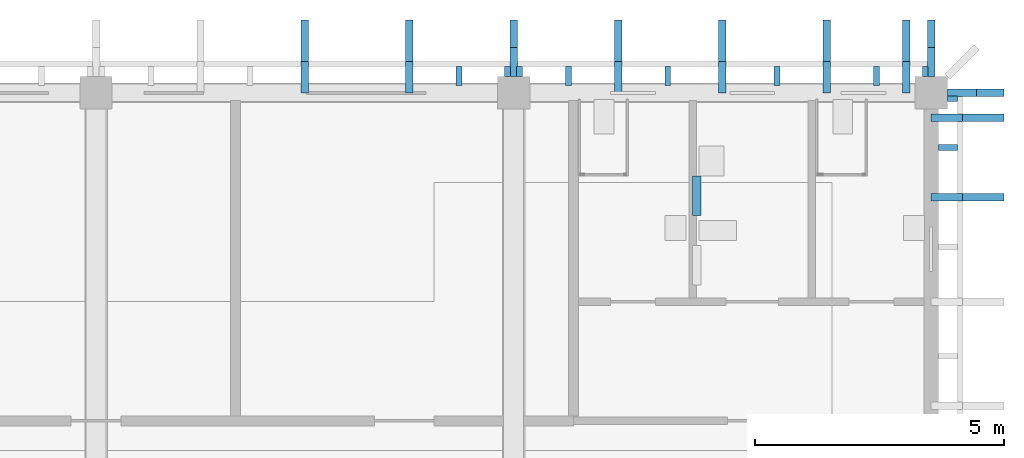
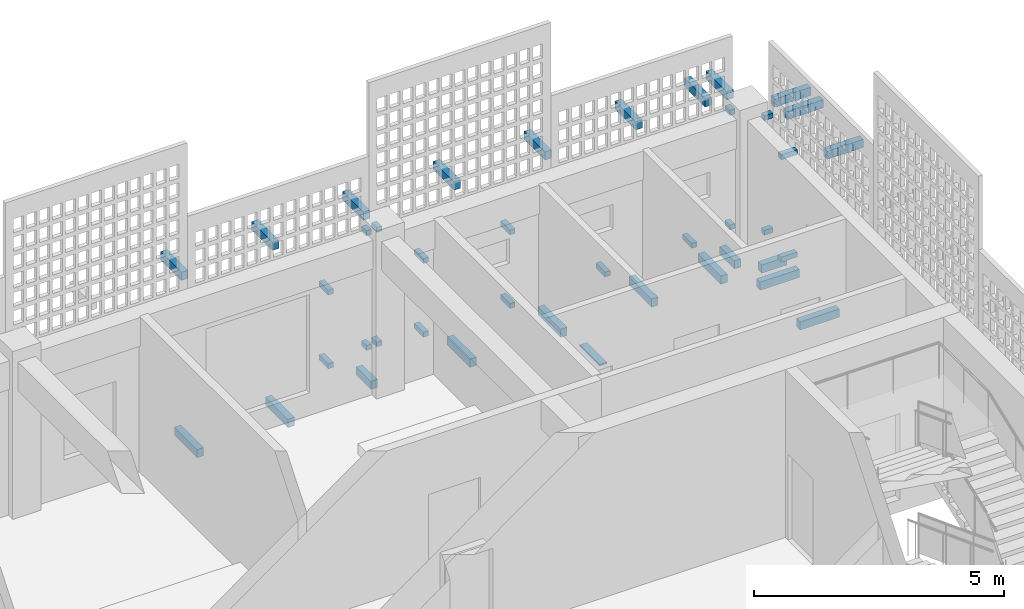
# One storey, part 6 of 23: 41 discrete accessories.
"""IFC4 building model written with IfcOpenShell, lengths in metres."""

from ifc_helpers import new_model, si_unit, direction, frame, origin, origin_2d, place, context, subcontext, project, spatial, rectangle, extrude, material, type_object, element, save


model = new_model("IFC4")

# Units and contexts
model_context = context("Model", 3, precision=1e-05, world=origin(), true_north=direction((0.0, 1.0)))
body_context = subcontext(model_context, "Body", "Model", "MODEL_VIEW")
ifc_project = project(units=[si_unit("LENGTHUNIT", "METRE"), si_unit("AREAUNIT", "SQUARE_METRE"), si_unit("VOLUMEUNIT", "CUBIC_METRE"), si_unit("PLANEANGLEUNIT", "RADIAN"), si_unit("MASSUNIT", "GRAM", prefix="KILO")], contexts=[model_context])

# Site, building, storey
site_placement = place(None, origin())
site = spatial("IfcSite", under=ifc_project, at=site_placement, CompositionType="ELEMENT")
building_placement = place(site_placement, origin())
building = spatial("IfcBuilding", under=site, at=building_placement, Name="Rulbaag Community and Learning Centre", CompositionType="ELEMENT")
storey_placement = place(building_placement, frame((0.0, 0.0, 64.800048828125)))
storey = spatial("IfcBuildingStorey", under=building, at=storey_placement, Name="L17", CompositionType="ELEMENT", Elevation=64.800048828125)

# Discrete accessories
ifc_material_1 = material(Name="Steel E350", Category="steel")
discrete_accessory_type_1 = type_object("IfcDiscreteAccessoryType", Name="BR-FN", PredefinedType="BRACKET", material=ifc_material_1)
discrete_accessory_1_placement = place(storey_placement, frame((155.39990234375, 118.05615234375, -0.25), z_axis=(0.0, 0.0, 1.0), x_axis=(1.0, 0.0, 0.0)))
element("IfcDiscreteAccessory", 1, at=discrete_accessory_1_placement, inside=storey, type_object=discrete_accessory_type_1, Name="Fin arm", PredefinedType="BRACKET", context=body_context, shape_type="SweptSolid", body=[
    extrude(rectangle(XDim=0.14990234375, YDim=0.912109375, at=origin_2d()), origin(), (0.0, 0.0, 1.0), 0.199951171875),
])
discrete_accessory_2_placement = place(storey_placement, frame((155.39990234375, 118.644775390625, 3.7001953125), z_axis=(0.0, 0.0, 1.0), x_axis=(1.0, 0.0, 0.0)))
element("IfcDiscreteAccessory", 2, at=discrete_accessory_2_placement, inside=storey, type_object=discrete_accessory_type_1, Name="Fin arm", PredefinedType="BRACKET", context=body_context, shape_type="SweptSolid", body=[
    extrude(rectangle(XDim=0.14990234375, YDim=0.83935546875, at=origin_2d()), origin(), (0.0, 0.0, 1.0), 0.199951171875),
])
discrete_accessory_3_placement = place(storey_placement, frame((157.5, 118.05615234375, -0.25), z_axis=(0.0, 0.0, 1.0), x_axis=(1.0, 0.0, 0.0)))
element("IfcDiscreteAccessory", 3, at=discrete_accessory_3_placement, inside=storey, type_object=discrete_accessory_type_1, Name="Fin arm", PredefinedType="BRACKET", context=body_context, shape_type="SweptSolid", body=[
    extrude(rectangle(XDim=0.14990234375, YDim=0.912109375, at=origin_2d()), origin(), (0.0, 0.0, 1.0), 0.199951171875),
])
discrete_accessory_4_placement = place(storey_placement, frame((157.5, 118.644775390625, 3.7001953125), z_axis=(0.0, 0.0, 1.0), x_axis=(1.0, 0.0, 0.0)))
element("IfcDiscreteAccessory", 4, at=discrete_accessory_4_placement, inside=storey, type_object=discrete_accessory_type_1, Name="Fin arm", PredefinedType="BRACKET", context=body_context, shape_type="SweptSolid", body=[
    extrude(rectangle(XDim=0.14990234375, YDim=0.83935546875, at=origin_2d()), origin(), (0.0, 0.0, 1.0), 0.199951171875),
])
discrete_accessory_5_placement = place(storey_placement, frame((159.60009765625, 118.218505859375, -0.25), z_axis=(0.0, 0.0, 1.0), x_axis=(1.0, 0.0, 0.0)))
element("IfcDiscreteAccessory", 5, at=discrete_accessory_5_placement, inside=storey, type_object=discrete_accessory_type_1, Name="Fin arm", PredefinedType="BRACKET", context=body_context, shape_type="SweptSolid", body=[
    extrude(rectangle(XDim=0.14990234375, YDim=0.587158203125, at=origin_2d()), origin(), (0.0, 0.0, 1.0), 0.199951171875),
])
discrete_accessory_6_placement = place(storey_placement, frame((159.60009765625, 118.644775390625, 3.7001953125), z_axis=(0.0, 0.0, 1.0), x_axis=(1.0, 0.0, 0.0)))
element("IfcDiscreteAccessory", 6, at=discrete_accessory_6_placement, inside=storey, type_object=discrete_accessory_type_1, Name="Fin arm", PredefinedType="BRACKET", context=body_context, shape_type="SweptSolid", body=[
    extrude(rectangle(XDim=0.14990234375, YDim=0.83935546875, at=origin_2d()), origin(), (0.0, 0.0, 1.0), 0.199951171875),
])
discrete_accessory_7_placement = place(storey_placement, frame((161.699951171875, 118.05615234375, -0.25), z_axis=(0.0, 0.0, 1.0), x_axis=(1.0, 0.0, 0.0)))
element("IfcDiscreteAccessory", 7, at=discrete_accessory_7_placement, inside=storey, type_object=discrete_accessory_type_1, Name="Fin arm", PredefinedType="BRACKET", context=body_context, shape_type="SweptSolid", body=[
    extrude(rectangle(XDim=0.14990234375, YDim=0.912109375, at=origin_2d()), origin(), (0.0, 0.0, 1.0), 0.199951171875),
])
discrete_accessory_8_placement = place(storey_placement, frame((161.699951171875, 118.644775390625, 3.7001953125), z_axis=(0.0, 0.0, 1.0), x_axis=(1.0, 0.0, 0.0)))
element("IfcDiscreteAccessory", 8, at=discrete_accessory_8_placement, inside=storey, type_object=discrete_accessory_type_1, Name="Fin arm", PredefinedType="BRACKET", context=body_context, shape_type="SweptSolid", body=[
    extrude(rectangle(XDim=0.14990234375, YDim=0.83935546875, at=origin_2d()), origin(), (0.0, 0.0, 1.0), 0.199951171875),
])
discrete_accessory_9_placement = place(storey_placement, frame((163.800048828125, 118.05615234375, -0.25), z_axis=(0.0, 0.0, 1.0), x_axis=(1.0, 0.0, 0.0)))
element("IfcDiscreteAccessory", 9, at=discrete_accessory_9_placement, inside=storey, type_object=discrete_accessory_type_1, Name="Fin arm", PredefinedType="BRACKET", context=body_context, shape_type="SweptSolid", body=[
    extrude(rectangle(XDim=0.14990234375, YDim=0.912109375, at=origin_2d()), origin(), (0.0, 0.0, 1.0), 0.199951171875),
])
discrete_accessory_10_placement = place(storey_placement, frame((163.800048828125, 118.644775390625, 3.7001953125), z_axis=(0.0, 0.0, 1.0), x_axis=(1.0, 0.0, 0.0)))
element("IfcDiscreteAccessory", 10, at=discrete_accessory_10_placement, inside=storey, type_object=discrete_accessory_type_1, Name="Fin arm", PredefinedType="BRACKET", context=body_context, shape_type="SweptSolid", body=[
    extrude(rectangle(XDim=0.14990234375, YDim=0.83935546875, at=origin_2d()), origin(), (0.0, 0.0, 1.0), 0.199951171875),
])
discrete_accessory_11_placement = place(storey_placement, frame((165.89990234375, 118.05615234375, -0.25), z_axis=(0.0, 0.0, 1.0), x_axis=(1.0, 0.0, 0.0)))
element("IfcDiscreteAccessory", 11, at=discrete_accessory_11_placement, inside=storey, type_object=discrete_accessory_type_1, Name="Fin arm", PredefinedType="BRACKET", context=body_context, shape_type="SweptSolid", body=[
    extrude(rectangle(XDim=0.14990234375, YDim=0.912109375, at=origin_2d()), origin(), (0.0, 0.0, 1.0), 0.199951171875),
])
discrete_accessory_12_placement = place(storey_placement, frame((165.89990234375, 118.644775390625, 3.7001953125), z_axis=(0.0, 0.0, 1.0), x_axis=(1.0, 0.0, 0.0)))
element("IfcDiscreteAccessory", 12, at=discrete_accessory_12_placement, inside=storey, type_object=discrete_accessory_type_1, Name="Fin arm", PredefinedType="BRACKET", context=body_context, shape_type="SweptSolid", body=[
    extrude(rectangle(XDim=0.14990234375, YDim=0.83935546875, at=origin_2d()), origin(), (0.0, 0.0, 1.0), 0.199951171875),
])
discrete_accessory_13_placement = place(storey_placement, frame((167.5, 118.05615234375, -0.25), z_axis=(0.0, 0.0, 1.0), x_axis=(1.0, 0.0, 0.0)))
element("IfcDiscreteAccessory", 13, at=discrete_accessory_13_placement, inside=storey, type_object=discrete_accessory_type_1, Name="Fin arm", PredefinedType="BRACKET", context=body_context, shape_type="SweptSolid", body=[
    extrude(rectangle(XDim=0.14990234375, YDim=0.912109375, at=origin_2d()), origin(), (0.0, 0.0, 1.0), 0.199951171875),
])
discrete_accessory_14_placement = place(storey_placement, frame((167.5, 118.644775390625, 3.7001953125), z_axis=(0.0, 0.0, 1.0), x_axis=(1.0, 0.0, 0.0)))
element("IfcDiscreteAccessory", 14, at=discrete_accessory_14_placement, inside=storey, type_object=discrete_accessory_type_1, Name="Fin arm", PredefinedType="BRACKET", context=body_context, shape_type="SweptSolid", body=[
    extrude(rectangle(XDim=0.14990234375, YDim=0.83935546875, at=origin_2d()), origin(), (0.0, 0.0, 1.0), 0.199951171875),
])
discrete_accessory_15_placement = place(storey_placement, frame((168.0, 118.218505859375, -0.25), z_axis=(0.0, 0.0, 1.0), x_axis=(1.0, 0.0, 0.0)))
element("IfcDiscreteAccessory", 15, at=discrete_accessory_15_placement, inside=storey, type_object=discrete_accessory_type_1, Name="Fin arm", PredefinedType="BRACKET", context=body_context, shape_type="SweptSolid", body=[
    extrude(rectangle(XDim=0.14990234375, YDim=0.587158203125, at=origin_2d()), origin(), (0.0, 0.0, 1.0), 0.199951171875),
])
discrete_accessory_16_placement = place(storey_placement, frame((168.0, 118.644775390625, 3.7001953125), z_axis=(0.0, 0.0, 1.0), x_axis=(1.0, 0.0, 0.0)))
element("IfcDiscreteAccessory", 16, at=discrete_accessory_16_placement, inside=storey, type_object=discrete_accessory_type_1, Name="Fin arm", PredefinedType="BRACKET", context=body_context, shape_type="SweptSolid", body=[
    extrude(rectangle(XDim=0.14990234375, YDim=0.83935546875, at=origin_2d()), origin(), (0.0, 0.0, 1.0), 0.199951171875),
])
discrete_accessory_17_placement = place(storey_placement, frame((168.4560546875, 115.5, -0.25), z_axis=(0.0, 0.0, 1.0), x_axis=(1.0, 0.0, 0.0)))
element("IfcDiscreteAccessory", 17, at=discrete_accessory_17_placement, inside=storey, type_object=discrete_accessory_type_1, Name="Fin arm", PredefinedType="BRACKET", context=body_context, shape_type="SweptSolid", body=[
    extrude(rectangle(XDim=0.912109375, YDim=0.14990234375, at=origin_2d()), origin(), (0.0, 0.0, 1.0), 0.199951171875),
])
discrete_accessory_18_placement = place(storey_placement, frame((169.044677734375, 115.5, 3.7001953125), z_axis=(0.0, 0.0, 1.0), x_axis=(1.0, 0.0, 0.0)))
element("IfcDiscreteAccessory", 18, at=discrete_accessory_18_placement, inside=storey, type_object=discrete_accessory_type_1, Name="Fin arm", PredefinedType="BRACKET", context=body_context, shape_type="SweptSolid", body=[
    extrude(rectangle(XDim=0.83935546875, YDim=0.14990234375, at=origin_2d()), origin(), (0.0, 0.0, 1.0), 0.199951171875),
])
discrete_accessory_19_placement = place(storey_placement, frame((168.4560546875, 117.10009765625, -0.25), z_axis=(0.0, 0.0, 1.0), x_axis=(1.0, 0.0, 0.0)))
element("IfcDiscreteAccessory", 19, at=discrete_accessory_19_placement, inside=storey, type_object=discrete_accessory_type_1, Name="Fin arm", PredefinedType="BRACKET", context=body_context, shape_type="SweptSolid", body=[
    extrude(rectangle(XDim=0.912109375, YDim=0.14990234375, at=origin_2d()), origin(), (0.0, 0.0, 1.0), 0.199951171875),
])
discrete_accessory_20_placement = place(storey_placement, frame((169.044677734375, 117.10009765625, 3.7001953125), z_axis=(0.0, 0.0, 1.0), x_axis=(1.0, 0.0, 0.0)))
element("IfcDiscreteAccessory", 20, at=discrete_accessory_20_placement, inside=storey, type_object=discrete_accessory_type_1, Name="Fin arm", PredefinedType="BRACKET", context=body_context, shape_type="SweptSolid", body=[
    extrude(rectangle(XDim=0.83935546875, YDim=0.14990234375, at=origin_2d()), origin(), (0.0, 0.0, 1.0), 0.199951171875),
])
discrete_accessory_21_placement = place(storey_placement, frame((168.61865234375, 117.60009765625, -0.25), z_axis=(0.0, 0.0, 1.0), x_axis=(1.0, 0.0, 0.0)))
element("IfcDiscreteAccessory", 21, at=discrete_accessory_21_placement, inside=storey, type_object=discrete_accessory_type_1, Name="Fin arm", PredefinedType="BRACKET", context=body_context, shape_type="SweptSolid", body=[
    extrude(rectangle(XDim=0.587158203125, YDim=0.14990234375, at=origin_2d()), origin(), (0.0, 0.0, 1.0), 0.199951171875),
])
discrete_accessory_22_placement = place(storey_placement, frame((169.044677734375, 117.60009765625, 3.7001953125), z_axis=(0.0, 0.0, 1.0), x_axis=(1.0, 0.0, 0.0)))
element("IfcDiscreteAccessory", 22, at=discrete_accessory_22_placement, inside=storey, type_object=discrete_accessory_type_1, Name="Fin arm", PredefinedType="BRACKET", context=body_context, shape_type="SweptSolid", body=[
    extrude(rectangle(XDim=0.83935546875, YDim=0.14990234375, at=origin_2d()), origin(), (0.0, 0.0, 1.0), 0.199951171875),
])
discrete_accessory_type_2 = type_object("IfcDiscreteAccessoryType", Name="BR-JS", PredefinedType="BRACKET", material=ifc_material_1)
for number, where, z_axis, x_axis, name in (
    (23, (159.47998046875, 118.02490234375, 0.739990234375), (0.0, 0.0, 1.0), (1.0, 0.0, 0.0), "Screen bracket"),
    (24, (159.47998046875, 118.02490234375, 3.539794921875), (0.0, 0.0, 1.0), (1.0, 0.0, 0.0), "Screen bracket"),
):
    element("IfcDiscreteAccessory", number, at=place(storey_placement, frame(where, z_axis=z_axis, x_axis=x_axis)), inside=storey, type_object=discrete_accessory_type_2, Name=name, PredefinedType="BRACKET", context=body_context, shape_type="SweptSolid", body=[
        extrude(rectangle(XDim=0.1201171875, YDim=0.199951171875, at=origin_2d()), origin(), (0.0, 0.0, 1.0), 0.1201171875),
    ])
for number, where, z_axis, x_axis, name in (
    (25, (158.5, 117.9375, 0.739990234375), (0.0, 0.0, 1.0), (1.0, 0.0, 0.0), "Screen bracket"),
    (26, (158.5, 117.9375, 2.539794921875), (0.0, 0.0, 1.0), (1.0, 0.0, 0.0), "Screen bracket"),
):
    element("IfcDiscreteAccessory", number, at=place(storey_placement, frame(where, z_axis=z_axis, x_axis=x_axis)), inside=storey, type_object=discrete_accessory_type_2, Name=name, PredefinedType="BRACKET", context=body_context, shape_type="SweptSolid", body=[
        extrude(rectangle(XDim=0.1201171875, YDim=0.375, at=origin_2d()), origin(), (0.0, 0.0, 1.0), 0.1201171875),
    ])
for number, where, z_axis, x_axis, name in (
    (27, (159.719970703125, 118.02490234375, 0.739990234375), (0.0, 0.0, 1.0), (1.0, 0.0, 0.0), "Screen bracket"),
    (28, (159.719970703125, 118.02490234375, 3.539794921875), (0.0, 0.0, 1.0), (1.0, 0.0, 0.0), "Screen bracket"),
):
    element("IfcDiscreteAccessory", number, at=place(storey_placement, frame(where, z_axis=z_axis, x_axis=x_axis)), inside=storey, type_object=discrete_accessory_type_2, Name=name, PredefinedType="BRACKET", context=body_context, shape_type="SweptSolid", body=[
        extrude(rectangle(XDim=0.1201171875, YDim=0.199951171875, at=origin_2d()), origin(), (0.0, 0.0, 1.0), 0.1201171875),
    ])
for number, where, z_axis, x_axis, name in (
    (29, (160.699951171875, 117.9375, 0.739990234375), (0.0, 0.0, 1.0), (1.0, 0.0, 0.0), "Screen bracket"),
    (30, (160.699951171875, 117.9375, 2.539794921875), (0.0, 0.0, 1.0), (1.0, 0.0, 0.0), "Screen bracket"),
    (31, (162.699951171875, 117.9375, 0.739990234375), (0.0, 0.0, 1.0), (1.0, 0.0, 0.0), "Screen bracket"),
    (32, (162.699951171875, 117.9375, 2.539794921875), (0.0, 0.0, 1.0), (1.0, 0.0, 0.0), "Screen bracket"),
):
    element("IfcDiscreteAccessory", number, at=place(storey_placement, frame(where, z_axis=z_axis, x_axis=x_axis)), inside=storey, type_object=discrete_accessory_type_2, Name=name, PredefinedType="BRACKET", context=body_context, shape_type="SweptSolid", body=[
        extrude(rectangle(XDim=0.1201171875, YDim=0.375, at=origin_2d()), origin(), (0.0, 0.0, 1.0), 0.1201171875),
    ])
for number, where, z_axis, x_axis, name in (
    (33, (167.8798828125, 118.02490234375, 0.739990234375), (0.0, 0.0, 1.0), (1.0, 0.0, 0.0), "Screen bracket"),
    (34, (167.8798828125, 118.02490234375, 3.539794921875), (0.0, 0.0, 1.0), (1.0, 0.0, 0.0), "Screen bracket"),
):
    element("IfcDiscreteAccessory", number, at=place(storey_placement, frame(where, z_axis=z_axis, x_axis=x_axis)), inside=storey, type_object=discrete_accessory_type_2, Name=name, PredefinedType="BRACKET", context=body_context, shape_type="SweptSolid", body=[
        extrude(rectangle(XDim=0.1201171875, YDim=0.199951171875, at=origin_2d()), origin(), (0.0, 0.0, 1.0), 0.1201171875),
    ])
for number, where, z_axis, x_axis, name in (
    (35, (164.89990234375, 117.9375, 0.739990234375), (0.0, 0.0, 1.0), (1.0, 0.0, 0.0), "Screen bracket"),
    (36, (166.89990234375, 117.9375, 0.739990234375), (0.0, 0.0, 1.0), (1.0, 0.0, 0.0), "Screen bracket"),
):
    element("IfcDiscreteAccessory", number, at=place(storey_placement, frame(where, z_axis=z_axis, x_axis=x_axis)), inside=storey, type_object=discrete_accessory_type_2, Name=name, PredefinedType="BRACKET", context=body_context, shape_type="SweptSolid", body=[
        extrude(rectangle(XDim=0.1201171875, YDim=0.375, at=origin_2d()), origin(), (0.0, 0.0, 1.0), 0.1201171875),
    ])
for number, where, z_axis, x_axis, name in (
    (37, (168.425048828125, 117.47998046875, 0.739990234375), (0.0, 0.0, 1.0), (1.0, 0.0, 0.0), "Screen bracket"),
    (38, (168.425048828125, 117.47998046875, 3.539794921875), (0.0, 0.0, 1.0), (1.0, 0.0, 0.0), "Screen bracket"),
):
    element("IfcDiscreteAccessory", number, at=place(storey_placement, frame(where, z_axis=z_axis, x_axis=x_axis)), inside=storey, type_object=discrete_accessory_type_2, Name=name, PredefinedType="BRACKET", context=body_context, shape_type="SweptSolid", body=[
        extrude(rectangle(XDim=0.199951171875, YDim=0.1201171875, at=origin_2d()), origin(), (0.0, 0.0, 1.0), 0.1201171875),
    ])
for number, where, z_axis, x_axis, name in (
    (39, (168.33740234375, 116.5, 0.739990234375), (0.0, 0.0, 1.0), (1.0, 0.0, 0.0), "Screen bracket"),
    (40, (168.33740234375, 116.5, 3.239990234375), (0.0, 0.0, 1.0), (1.0, 0.0, 0.0), "Screen bracket"),
):
    element("IfcDiscreteAccessory", number, at=place(storey_placement, frame(where, z_axis=z_axis, x_axis=x_axis)), inside=storey, type_object=discrete_accessory_type_2, Name=name, PredefinedType="BRACKET", context=body_context, shape_type="SweptSolid", body=[
        extrude(rectangle(XDim=0.375, YDim=0.1201171875, at=origin_2d()), origin(), (0.0, 0.0, 1.0), 0.1201171875),
    ])
ifc_material_2 = material(Name="Stainless steel grade 316", Category="steel")
discrete_accessory_type_3 = type_object("IfcDiscreteAccessoryType", Name="GR-800", PredefinedType="USERDEFINED", material=ifc_material_2)
discrete_accessory_23_placement = place(storey_placement, frame((163.284912109375, 115.530029296875, 0.72998046875), z_axis=(0.0, 0.0, 1.0), x_axis=(1.0, 0.0, 0.0)))
element("IfcDiscreteAccessory", 41, at=discrete_accessory_23_placement, inside=storey, type_object=discrete_accessory_type_3, Name="Grab rail", ObjectType="GRAB RAIL", PredefinedType="USERDEFINED", context=body_context, shape_type="SweptSolid", body=[
    extrude(rectangle(XDim=0.169921875, YDim=0.800048828125, at=origin_2d()), origin(), (0.0, 0.0, 1.0), 0.0400390625),
])

save(model, "model.ifc")
